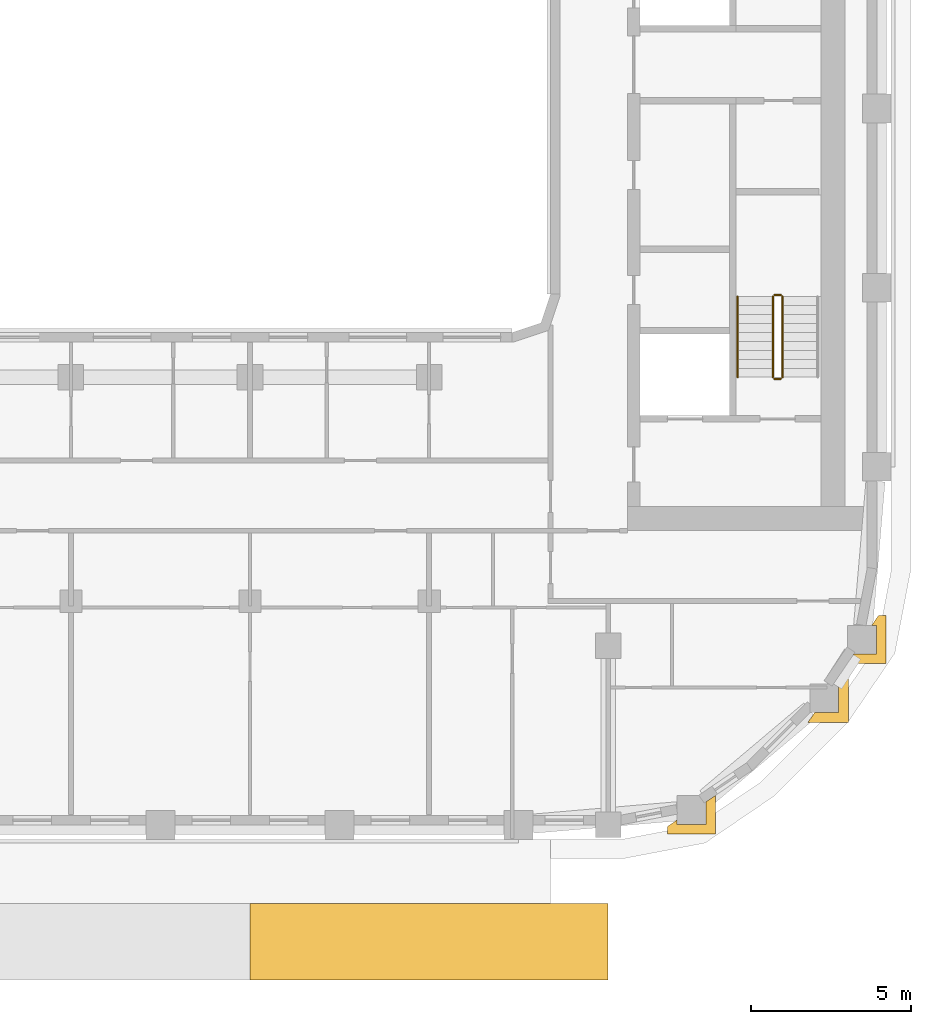
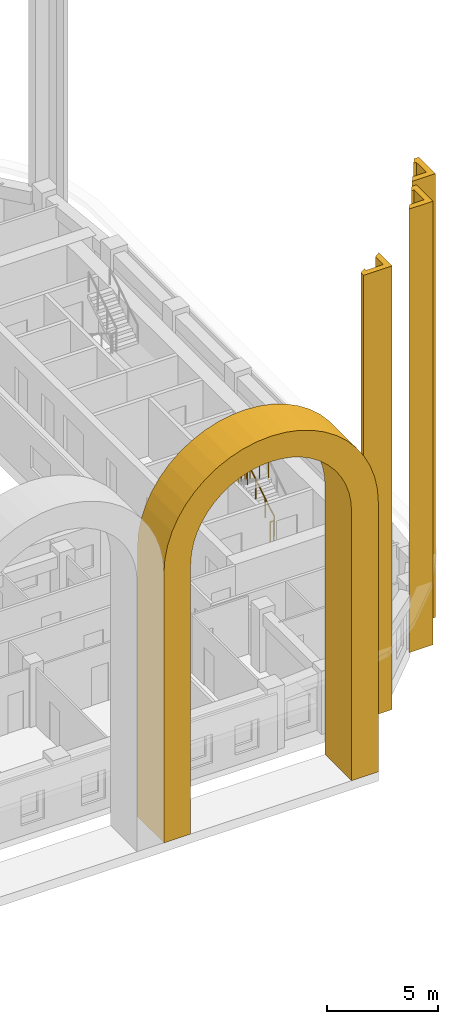
# One storey, part 15 of 20: 5 railings, 4 coverings.
"""IFC4 building model written with IfcOpenShell, lengths in metres."""

from ifc_helpers import new_model, si_unit, direction, frame, origin, origin_2d, place, context, subcontext, project, spatial, polyline, circle, outline, extrude, material, layer, layer_set, type_object, element, save


model = new_model("IFC4")

# Units and contexts
model_context = context("Model", 3, precision=1e-05, world=origin(), true_north=direction((0.0, 1.0)))
body_context = subcontext(model_context, "Body", "Model", "MODEL_VIEW")
ifc_project = project(units=[si_unit("LENGTHUNIT", "METRE"), si_unit("AREAUNIT", "SQUARE_METRE"), si_unit("VOLUMEUNIT", "CUBIC_METRE"), si_unit("PLANEANGLEUNIT", "RADIAN"), si_unit("MASSUNIT", "GRAM", prefix="KILO")], contexts=[model_context])

# Site, building, storey
site_placement = place(None, origin())
site = spatial("IfcSite", under=ifc_project, at=site_placement, CompositionType="ELEMENT")
building_placement = place(site_placement, origin())
building = spatial("IfcBuilding", under=site, at=building_placement, Name="Kiln Ring Residences", CompositionType="ELEMENT")
storey_placement = place(building_placement, frame((0.0, 0.0, 188.89990234375)))
storey = spatial("IfcBuildingStorey", under=building, at=storey_placement, Name="L48", CompositionType="ELEMENT", Elevation=188.89990234375)

# Covering
ifc_material_1 = material(Name="Brick masonry, dark clay brick", Category="masonry")
ifc_layer_1 = layer(ifc_material_1, 1.39990234375)
ifc_layer_set_1 = layer_set([ifc_layer_1], Name="ARCH SURROUND 2400")
covering_type_1 = type_object("IfcCoveringType", Name="ARCH SURROUND 2400", PredefinedType="CLADDING", material=ifc_layer_set_1)
covering_1_placement = place(storey_placement, frame((16.800048828125, -26.050048828125, 0.5), z_axis=(0.0, 0.0, 1.0), x_axis=(-1.0, 0.0, 0.0)))
element("IfcCovering", 1, at=covering_1_placement, inside=storey, type_object=covering_type_1, Name="ARCH SURROUND Z4 S1.3", PredefinedType="CLADDING", context=body_context, shape_type="SweptSolid", body=[
    extrude(outline(polyline([(11.199951171875, 0.0), (11.199951171875, 14.900146484375), (11.152099609375, 15.631103515625), (11.00927734375, 16.349609375), (10.773681640625, 17.043212890625), (10.44970703125, 17.7001953125), (10.042724609375, 18.30908203125), (9.559814453125, 18.85986328125), (9.009033203125, 19.343017578125), (8.39990234375, 19.749755859375), (7.742919921875, 20.07373046875), (7.04931640625, 20.309326171875), (6.330810546875, 20.4521484375), (5.60009765625, 20.5), (4.869140625, 20.4521484375), (4.150634765625, 20.309326171875), (3.45703125, 20.07373046875), (2.800048828125, 19.749755859375), (2.19091796875, 19.343017578125), (1.64013671875, 18.85986328125), (1.1572265625, 18.30908203125), (0.750244140625, 17.7001953125), (0.42626953125, 17.043212890625), (0.19091796875, 16.349609375), (0.0478515625, 15.631103515625), (0.0, 14.900146484375), (0.0, 0.0), (1.39990234375, 0.0), (1.39990234375, 14.900146484375), (1.435791015625, 15.4482421875), (1.543212890625, 15.987060546875), (1.7197265625, 16.50732421875), (1.962646484375, 17.0), (2.267822265625, 17.456787109375), (2.630126953125, 17.869873046875), (3.043212890625, 18.232177734375), (3.5, 18.537353515625), (3.99267578125, 18.780517578125), (4.512939453125, 18.95703125), (5.0517578125, 19.064208984375), (5.60009765625, 19.10009765625), (6.148193359375, 19.064208984375), (6.68701171875, 18.95703125), (7.207275390625, 18.780517578125), (7.699951171875, 18.537353515625), (8.15673828125, 18.232177734375), (8.56982421875, 17.869873046875), (8.93212890625, 17.456787109375), (9.2373046875, 17.0), (9.480224609375, 16.50732421875), (9.656982421875, 15.987060546875), (9.76416015625, 15.4482421875), (9.800048828125, 14.900146484375), (9.800048828125, 0.0), (11.199951171875, 0.0)])), frame((0.0, 1.199951171875, 0.0), z_axis=(0.0, -1.0, 0.0), x_axis=(1.0, 0.0, 0.0)), (0.0, 0.0, 1.0), 2.39990234375),
])

# Railings
ifc_material_2 = material(Name="Stainless steel", Category="steel")
railing_type_1 = type_object("IfcRailingType", Name="CORE-STAIR-GUARD", PredefinedType="GUARDRAIL", material=ifc_material_2)
railing_1_placement = place(storey_placement, frame((22.25, -8.39990234375, 0.175048828125)))
element("IfcRailing", 2, at=railing_1_placement, inside=storey, type_object=railing_type_1, Name="L48 E-STS stair guard 1", PredefinedType="GUARDRAIL", context=body_context, shape_type="SweptSolid", body=[
    extrude(circle(Radius=0.02392578125, at=origin_2d()), frame((0.0, 0.0, 1.076171875), z_axis=(0.0, 0.848007534815, 0.529984170421), x_axis=(-1.0, 0.0, 0.0)), (0.0, 0.0, 1.0), 2.9716796875),
    extrude(circle(Radius=0.02099609375, at=origin_2d()), origin(), (0.0, 0.0, 1.0), 1.052001953125),
    extrude(circle(Radius=0.02099609375, at=origin_2d()), frame((0.0, 0.840087890625, 0.52490234375)), (0.0, 0.0, 1.0), 1.052001953125),
    extrude(circle(Radius=0.02099609375, at=origin_2d()), frame((0.0, 1.679931640625, 1.050048828125)), (0.0, 0.0, 1.0), 1.052001953125),
    extrude(circle(Radius=0.02099609375, at=origin_2d()), frame((0.0, 2.52001953125, 1.574951171875)), (0.0, 0.0, 1.0), 1.052001953125),
])
railing_2_placement = place(storey_placement, frame((22.199951171875, -5.830078125, 1.75)))
element("IfcRailing", 3, at=railing_2_placement, inside=storey, type_object=railing_type_1, Name="L48 E-STS stair guard 2", PredefinedType="GUARDRAIL", context=body_context, shape_type="SweptSolid", body=[
    extrude(circle(Radius=0.02392578125, at=origin_2d()), frame((0.0, 0.0, 1.076171875), z_axis=(-1.0, 0.0, 0.0), x_axis=(0.0, -1.0, 0.0)), (0.0, 0.0, 1.0), 0.199951171875),
    extrude(circle(Radius=0.02099609375, at=origin_2d()), origin(), (0.0, 0.0, 1.0), 1.052001953125),
    extrude(circle(Radius=0.02099609375, at=origin_2d()), frame((-0.199951171875, 0.0, 0.0)), (0.0, 0.0, 1.0), 1.052001953125),
])
railing_3_placement = place(storey_placement, frame((21.949951171875, -5.8798828125, 1.925048828125)))
element("IfcRailing", 4, at=railing_3_placement, inside=storey, type_object=railing_type_1, Name="L48 E-STS stair guard 3", PredefinedType="GUARDRAIL", context=body_context, shape_type="SweptSolid", body=[
    extrude(circle(Radius=0.02392578125, at=origin_2d()), frame((0.0, 0.0, 1.076171875), z_axis=(0.0, -0.848007534815, 0.529984170421), x_axis=(1.0, 0.0, 0.0)), (0.0, 0.0, 1.0), 2.9716796875),
    extrude(circle(Radius=0.02099609375, at=origin_2d()), origin(), (0.0, 0.0, 1.0), 1.052001953125),
    extrude(circle(Radius=0.02099609375, at=origin_2d()), frame((0.0, -0.840087890625, 0.52490234375)), (0.0, 0.0, 1.0), 1.052001953125),
    extrude(circle(Radius=0.02099609375, at=origin_2d()), frame((0.0, -1.679931640625, 1.050048828125)), (0.0, 0.0, 1.0), 1.052001953125),
    extrude(circle(Radius=0.02099609375, at=origin_2d()), frame((0.0, -2.52001953125, 1.574951171875)), (0.0, 0.0, 1.0), 1.052001953125),
])
railing_4_placement = place(storey_placement, frame((22.199951171875, -8.449951171875, 0.0)))
element("IfcRailing", 5, at=railing_4_placement, inside=storey, type_object=railing_type_1, Name="L48 E-STS stair guard 4", PredefinedType="GUARDRAIL", context=body_context, shape_type="SweptSolid", body=[
    extrude(circle(Radius=0.02392578125, at=origin_2d()), frame((0.0, 0.0, 1.076171875), z_axis=(-1.0, 0.0, 0.0), x_axis=(0.0, -1.0, 0.0)), (0.0, 0.0, 1.0), 0.199951171875),
    extrude(circle(Radius=0.02099609375, at=origin_2d()), origin(), (0.0, 0.0, 1.0), 1.052001953125),
    extrude(circle(Radius=0.02099609375, at=origin_2d()), frame((-0.199951171875, 0.0, 0.0)), (0.0, 0.0, 1.0), 1.052001953125),
])
ifc_material_3 = material(Name="Stainless steel", Category="steel")
railing_type_2 = type_object("IfcRailingType", Name="CORE-STAIR-HANDRAIL", PredefinedType="HANDRAIL", material=ifc_material_3)
railing_5_placement = place(storey_placement, frame((20.85009765625, -5.8798828125, 1.925048828125)))
element("IfcRailing", 6, at=railing_5_placement, inside=storey, type_object=railing_type_2, Name="L48 E-STS stair handrail 2", PredefinedType="HANDRAIL", context=body_context, shape_type="SweptSolid", body=[
    extrude(circle(Radius=0.02392578125, at=origin_2d()), frame((0.0, 0.0, 0.8759765625), z_axis=(0.0, -0.848007534815, 0.529984170421), x_axis=(1.0, 0.0, 0.0)), (0.0, 0.0, 1.0), 2.9716796875),
    extrude(circle(Radius=0.02099609375, at=origin_2d()), origin(), (0.0, 0.0, 1.0), 0.851806640625),
    extrude(circle(Radius=0.02099609375, at=origin_2d()), frame((0.0, -0.840087890625, 0.52490234375)), (0.0, 0.0, 1.0), 0.851806640625),
    extrude(circle(Radius=0.02099609375, at=origin_2d()), frame((0.0, -1.679931640625, 1.050048828125)), (0.0, 0.0, 1.0), 0.851806640625),
    extrude(circle(Radius=0.02099609375, at=origin_2d()), frame((0.0, -2.52001953125, 1.574951171875)), (0.0, 0.0, 1.0), 0.851806640625),
])

# Coverings
ifc_material_4 = material(Name="Brick masonry, dark clay brick", Category="masonry")
ifc_layer_2 = layer(ifc_material_4, 0.300048828125)
ifc_layer_set_2 = layer_set([ifc_layer_2], Name="PIER CLADDING 300")
covering_type_2 = type_object("IfcCoveringType", Name="PIER CLADDING 300", PredefinedType="CLADDING", material=ifc_layer_set_2)
placement = place(storey_placement, origin())
element("IfcCovering", 7, at=placement, inside=storey, type_object=covering_type_2, Name="PIER CLADDING L48-L54", PredefinedType="CLADDING", context=body_context, shape_type="SweptSolid", body=[
    extrude(outline(polyline([(18.958740234375, -22.243896484375), (18.65869140625, -22.44775390625), (18.65869140625, -22.68798828125), (20.15869140625, -22.68798828125), (20.15869140625, -21.4765625), (19.858642578125, -21.680419921875), (19.858642578125, -22.38818359375), (18.958740234375, -22.38818359375), (18.958740234375, -22.243896484375)])), origin(), (0.0, 0.0, 1.0), 24.5),
])
element("IfcCovering", 8, at=placement, inside=storey, type_object=covering_type_2, Name="PIER CLADDING L48-L54", PredefinedType="CLADDING", context=body_context, shape_type="SweptSolid", body=[
    extrude(outline(polyline([(24.309814453125, -19.190185546875), (24.309814453125, -17.690185546875), (24.069580078125, -17.690185546875), (23.865478515625, -17.990234375), (24.009765625, -17.990234375), (24.009765625, -18.89013671875), (23.25390625, -18.89013671875), (23.050048828125, -19.190185546875), (24.309814453125, -19.190185546875)])), origin(), (0.0, 0.0, 1.0), 24.5),
])
element("IfcCovering", 9, at=placement, inside=storey, type_object=covering_type_2, Name="PIER CLADDING L48-L54", PredefinedType="CLADDING", context=body_context, shape_type="SweptSolid", body=[
    extrude(outline(polyline([(25.488037109375, -17.358642578125), (25.488037109375, -15.858642578125), (25.247802734375, -15.858642578125), (25.0439453125, -16.15869140625), (25.18798828125, -16.15869140625), (25.18798828125, -17.05859375), (24.48046875, -17.05859375), (24.276611328125, -17.358642578125), (25.488037109375, -17.358642578125)])), origin(), (0.0, 0.0, 1.0), 24.5),
])

save(model, "model.ifc")
